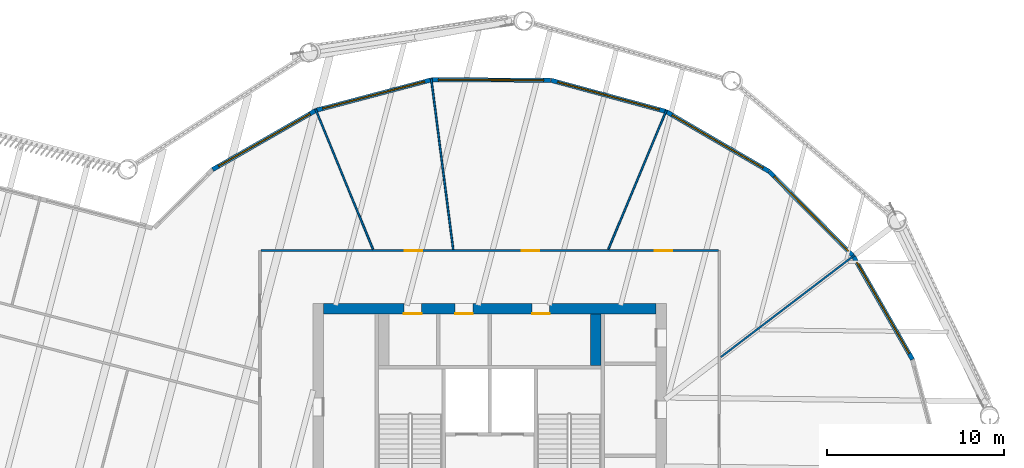
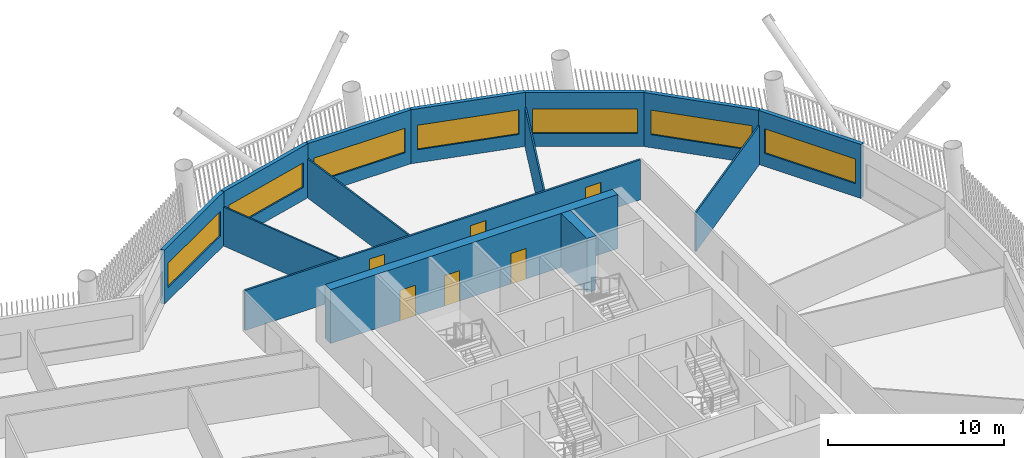
# One storey, part 7 of 21: 14 walls, 7 windows, 6 doors, 13 openings.
"""IFC4 building model written with IfcOpenShell, lengths in metres."""

from ifc_helpers import new_model, si_unit, direction, frame, frame_2d, origin, place, context, subcontext, project, spatial, rectangle, extrude, material, layer, layer_set, type_object, element, fill, save


model = new_model("IFC4")

# Units and contexts
model_context = context("Model", 3, precision=1e-05, world=origin(), true_north=direction((0.0, 1.0)))
body_context = subcontext(model_context, "Body", "Model", "MODEL_VIEW")
ifc_project = project(units=[si_unit("LENGTHUNIT", "METRE"), si_unit("AREAUNIT", "SQUARE_METRE"), si_unit("VOLUMEUNIT", "CUBIC_METRE"), si_unit("PLANEANGLEUNIT", "RADIAN"), si_unit("MASSUNIT", "GRAM", prefix="KILO")], contexts=[model_context])

# Site, building, storey
site_placement = place(None, origin())
site = spatial("IfcSite", under=ifc_project, at=site_placement, CompositionType="ELEMENT")
building_placement = place(site_placement, origin())
building = spatial("IfcBuilding", under=site, at=building_placement, Name="Tarsis Ring Headquarters", CompositionType="ELEMENT")
storey_placement = place(building_placement, frame((0.0, 0.0, 223.800048828125)))
storey = spatial("IfcBuildingStorey", under=building, at=storey_placement, Name="L52", CompositionType="ELEMENT", Elevation=223.800048828125)

# Wall, openings, doors
ifc_material_1 = material(Name="Concrete C50/60", Category="concrete")
ifc_layer_1 = layer(ifc_material_1, 0.60009765625)
ifc_layer_set_1 = layer_set([ifc_layer_1], Name="Core wall 600 C50/60")
wall_type_1 = type_object("IfcWallType", Name="Core wall 600 C50/60", PredefinedType="SHEAR", material=ifc_layer_set_1)
wall_1_placement = place(storey_placement, frame((-9.39990234375, 12.699951171875, 0.0), z_axis=(0.0, 0.0, 1.0), x_axis=(1.0, 0.0, 0.0)))
wall_1 = element("IfcWall", 1, at=wall_1_placement, inside=storey, type_object=wall_type_1, Name="Core wall ON", PredefinedType="SHEAR", context=body_context, shape_type="SweptSolid", body=[
    extrude(rectangle(XDim=18.7998046875, YDim=0.60009765625, at=frame_2d((9.39990234375, 0.0))), origin(), (0.0, 0.0, 1.0), 3.739990234375),
])
opening_1_placement = place(wall_1_placement, frame((4.550048828125, 0.0, 0.0)))
opening_1 = element("IfcOpeningElement", 2, at=opening_1_placement, cuts=wall_1, Name="Opening L52-C14", PredefinedType="OPENING", context=body_context, shape_type="SweptSolid", body=[
    extrude(rectangle(XDim=1.0, YDim=2.10009765625, at=frame_2d((0.5, 1.050048828125))), frame((0.0, 0.31005859375, 0.0), z_axis=(0.0, -1.0, 0.0), x_axis=(1.0, 0.0, 0.0)), (0.0, 0.0, 1.0), 0.6201171875),
])
opening_2_placement = place(wall_1_placement, frame((7.449951171875, 0.0, 0.0)))
opening_2 = element("IfcOpeningElement", 3, at=opening_2_placement, cuts=wall_1, Name="Opening L52-C15", PredefinedType="OPENING", context=body_context, shape_type="SweptSolid", body=[
    extrude(rectangle(XDim=1.0, YDim=2.10009765625, at=frame_2d((0.5, 1.050048828125))), frame((0.0, 0.31005859375, 0.0), z_axis=(0.0, -1.0, 0.0), x_axis=(1.0, 0.0, 0.0)), (0.0, 0.0, 1.0), 0.6201171875),
])
opening_3_placement = place(wall_1_placement, frame((11.800048828125, 0.0, 0.0)))
opening_3 = element("IfcOpeningElement", 4, at=opening_3_placement, cuts=wall_1, Name="Opening L52-C16", PredefinedType="OPENING", context=body_context, shape_type="SweptSolid", body=[
    extrude(rectangle(XDim=1.0, YDim=2.10009765625, at=frame_2d((0.5, 1.050048828125))), frame((0.0, 0.31005859375, 0.0), z_axis=(0.0, -1.0, 0.0), x_axis=(1.0, 0.0, 0.0)), (0.0, 0.0, 1.0), 0.6201171875),
])
ifc_material_2 = material(Name="Steel S355", Category="steel")
door_type_1 = type_object("IfcDoorType", Name="Core room door 1000x2100", OperationType="SINGLE_SWING_LEFT", PredefinedType="DOOR", material=ifc_material_2)
door_1_placement = place(opening_1_placement, origin())
door_1 = element("IfcDoor", 5, at=door_1_placement, inside=storey, type_object=door_type_1, Name="Core room door L52", OperationType="SINGLE_SWING_LEFT", OverallHeight=2.10009765625, OverallWidth=1.0, PredefinedType="DOOR", context=body_context, shape_type="SweptSolid", body=[
    extrude(rectangle(XDim=1.0, YDim=2.10009765625, at=frame_2d((0.5, 1.050048828125))), frame((0.0, -0.25, 0.0), z_axis=(0.0, -1.0, 0.0), x_axis=(1.0, 0.0, 0.0)), (0.0, 0.0, 1.0), 0.050048828125),
])
fill(opening_1, door_1)
door_2_placement = place(opening_2_placement, origin())
door_2 = element("IfcDoor", 6, at=door_2_placement, inside=storey, type_object=door_type_1, Name="Core room door L52", OperationType="SINGLE_SWING_LEFT", OverallHeight=2.10009765625, OverallWidth=1.0, PredefinedType="DOOR", context=body_context, shape_type="SweptSolid", body=[
    extrude(rectangle(XDim=1.0, YDim=2.10009765625, at=frame_2d((0.5, 1.050048828125))), frame((0.0, -0.25, 0.0), z_axis=(0.0, -1.0, 0.0), x_axis=(1.0, 0.0, 0.0)), (0.0, 0.0, 1.0), 0.050048828125),
])
fill(opening_2, door_2)
door_3_placement = place(opening_3_placement, origin())
door_3 = element("IfcDoor", 7, at=door_3_placement, inside=storey, type_object=door_type_1, Name="Core room door L52", OperationType="SINGLE_SWING_LEFT", OverallHeight=2.10009765625, OverallWidth=1.0, PredefinedType="DOOR", context=body_context, shape_type="SweptSolid", body=[
    extrude(rectangle(XDim=1.0, YDim=2.10009765625, at=frame_2d((0.5, 1.050048828125))), frame((0.0, -0.25, 0.0), z_axis=(0.0, -1.0, 0.0), x_axis=(1.0, 0.0, 0.0)), (0.0, 0.0, 1.0), 0.050048828125),
])
fill(opening_3, door_3)

# Walls
ifc_material_3 = material(Name="Gypsum board on steel studs", Category="steel")
ifc_layer_2 = layer(ifc_material_3, 0.10009765625)
ifc_layer_set_2 = layer_set([ifc_layer_2], Name="FL partition 100 unrated")
wall_type_2 = type_object("IfcWallType", Name="FL partition 100 unrated", PredefinedType="PARTITIONING", material=ifc_layer_set_2)
wall_2_placement = place(storey_placement, frame((-3.305908203125, 25.736328125, 0.0), z_axis=(0.0, 0.0, 1.0), x_axis=(0.12740064408, -0.991851337594, 0.0)))
element("IfcWall", 8, at=wall_2_placement, inside=storey, type_object=wall_type_2, Name="Partition PW3", PredefinedType="PARTITIONING", context=body_context, shape_type="SweptSolid", body=[
    extrude(rectangle(XDim=9.746337890625, YDim=0.10009765625, at=frame_2d((4.873046875, 0.0))), origin(), (0.0, 0.0, 1.0), 2.699951171875),
])
wall_3_placement = place(storey_placement, frame((13.07958984375, 9.97119140625, 0.0), z_axis=(0.0, 0.0, 1.0), x_axis=(0.79526357284, 0.606263844966, 0.0)))
element("IfcWall", 9, at=wall_3_placement, inside=storey, type_object=wall_type_2, Name="Partition PW3", PredefinedType="PARTITIONING", context=body_context, shape_type="SweptSolid", body=[
    extrude(rectangle(XDim=9.500732421875, YDim=0.10009765625, at=frame_2d((4.75048828125, 0.0))), origin(), (0.0, 0.0, 1.0), 2.699951171875),
])
wall_4_placement = place(storey_placement, frame((-9.8544921875, 24.00390625, 0.0), z_axis=(0.0, 0.0, 1.0), x_axis=(0.379762620059, -0.925083970462, 0.0)))
element("IfcWall", 10, at=wall_4_placement, inside=storey, type_object=wall_type_2, Name="Partition PW3", PredefinedType="PARTITIONING", context=body_context, shape_type="SweptSolid", body=[
    extrude(rectangle(XDim=8.572021484375, YDim=0.10009765625, at=frame_2d((4.2861328125, 0.0))), origin(), (0.0, 0.0, 1.0), 2.699951171875),
])
wall_5_placement = place(storey_placement, frame((6.71728515625, 16.07373046875, 0.0), z_axis=(0.0, 0.0, 1.0), x_axis=(0.385578815854, 0.922674903075, 0.0)))
element("IfcWall", 11, at=wall_5_placement, inside=storey, type_object=wall_type_2, Name="Partition PW3", PredefinedType="PARTITIONING", context=body_context, shape_type="SweptSolid", body=[
    extrude(rectangle(XDim=8.527099609375, YDim=0.10009765625, at=frame_2d((4.263671875, 0.0))), origin(), (0.0, 0.0, 1.0), 2.699951171875),
])

# Wall, openings, doors
ifc_layer_3 = layer(ifc_material_3, 0.125)
ifc_layer_set_3 = layer_set([ifc_layer_3], Name="FL partition 125 EI 60 H2770")
wall_type_3 = type_object("IfcWallType", Name="FL partition 125 EI 60 H2770", PredefinedType="PARTITIONING", material=ifc_layer_set_3)
wall_6_placement = place(storey_placement, frame((-12.93994140625, 16.0, 0.0), z_axis=(0.0, 0.0, 1.0), x_axis=(1.0, 0.0, 0.0)))
wall_6 = element("IfcWall", 12, at=wall_6_placement, inside=storey, type_object=wall_type_3, Name="Partition PW1", PredefinedType="PARTITIONING", context=body_context, shape_type="SweptSolid", body=[
    extrude(rectangle(XDim=25.8798828125, YDim=0.125, at=frame_2d((12.93994140625, 0.0))), origin(), (0.0, 0.0, 1.0), 2.77001953125),
])
opening_4_placement = place(wall_6_placement, frame((8.1279296875, 0.0, 0.0)))
opening_4 = element("IfcOpeningElement", 13, at=opening_4_placement, cuts=wall_6, Name="Opening D52.04", PredefinedType="OPENING", context=body_context, shape_type="SweptSolid", body=[
    extrude(rectangle(XDim=1.0, YDim=2.10009765625, at=frame_2d((0.5, 1.050048828125))), frame((0.0, 0.072509765625, 0.0), z_axis=(0.0, -1.0, 0.0), x_axis=(1.0, 0.0, 0.0)), (0.0, 0.0, 1.0), 0.14501953125),
])
opening_5_placement = place(wall_6_placement, frame((14.755615234375, 0.0, 0.0)))
opening_5 = element("IfcOpeningElement", 14, at=opening_5_placement, cuts=wall_6, Name="Opening D52.05", PredefinedType="OPENING", context=body_context, shape_type="SweptSolid", body=[
    extrude(rectangle(XDim=1.0, YDim=2.10009765625, at=frame_2d((0.5, 1.050048828125))), frame((0.0, 0.072509765625, 0.0), z_axis=(0.0, -1.0, 0.0), x_axis=(1.0, 0.0, 0.0)), (0.0, 0.0, 1.0), 0.14501953125),
])
opening_6_placement = place(wall_6_placement, frame((22.283203125, 0.0, 0.0)))
opening_6 = element("IfcOpeningElement", 15, at=opening_6_placement, cuts=wall_6, Name="Opening D52.06", PredefinedType="OPENING", context=body_context, shape_type="SweptSolid", body=[
    extrude(rectangle(XDim=1.0, YDim=2.10009765625, at=frame_2d((0.5, 1.050048828125))), frame((0.0, 0.072509765625, 0.0), z_axis=(0.0, -1.0, 0.0), x_axis=(1.0, 0.0, 0.0)), (0.0, 0.0, 1.0), 0.14501953125),
])
ifc_material_4 = material(Name="Fire-rated timber door leaf in steel frame", Category="steel")
door_type_2 = type_object("IfcDoorType", Name="FL door FD60-1000", OperationType="NOTDEFINED", PredefinedType="DOOR", material=ifc_material_4)
door_4_placement = place(opening_4_placement, origin())
door_4 = element("IfcDoor", 16, at=door_4_placement, inside=storey, type_object=door_type_2, Name="Door D52.04", OperationType="SINGLE_SWING_RIGHT", OverallHeight=2.10009765625, OverallWidth=1.0, PredefinedType="DOOR", context=body_context, shape_type="SweptSolid", body=[
    extrude(rectangle(XDim=1.0, YDim=2.10009765625, at=frame_2d((0.5, 1.050048828125))), frame((0.0, 0.02490234375, 0.0), z_axis=(0.0, -1.0, 0.0), x_axis=(1.0, 0.0, 0.0)), (0.0, 0.0, 1.0), 0.050048828125),
])
fill(opening_4, door_4)
door_5_placement = place(opening_5_placement, origin())
door_5 = element("IfcDoor", 17, at=door_5_placement, inside=storey, type_object=door_type_2, Name="Door D52.05", OperationType="SINGLE_SWING_LEFT", OverallHeight=2.10009765625, OverallWidth=1.0, PredefinedType="DOOR", context=body_context, shape_type="SweptSolid", body=[
    extrude(rectangle(XDim=1.0, YDim=2.10009765625, at=frame_2d((0.5, 1.050048828125))), frame((0.0, 0.02490234375, 0.0), z_axis=(0.0, -1.0, 0.0), x_axis=(1.0, 0.0, 0.0)), (0.0, 0.0, 1.0), 0.050048828125),
])
fill(opening_5, door_5)
door_6_placement = place(opening_6_placement, origin())
door_6 = element("IfcDoor", 18, at=door_6_placement, inside=storey, type_object=door_type_2, Name="Door D52.06", OperationType="SINGLE_SWING_RIGHT", OverallHeight=2.10009765625, OverallWidth=1.0, PredefinedType="DOOR", context=body_context, shape_type="SweptSolid", body=[
    extrude(rectangle(XDim=1.0, YDim=2.10009765625, at=frame_2d((0.5, 1.050048828125))), frame((0.0, 0.02490234375, 0.0), z_axis=(0.0, -1.0, 0.0), x_axis=(1.0, 0.0, 0.0)), (0.0, 0.0, 1.0), 0.050048828125),
])
fill(opening_6, door_6)

# Wall, opening, window
ifc_material_5 = material(Name="Terracotta clad insulated panel wall", Category="masonry")
ifc_layer_4 = layer(ifc_material_5, 0.25)
ifc_layer_set_4 = layer_set([ifc_layer_4], Name="Facade wall terracotta panel 250")
wall_type_4 = type_object("IfcWallType", Name="Facade wall terracotta panel 250", PredefinedType="STANDARD", material=ifc_layer_set_4)
wall_7_placement = place(storey_placement, frame((23.92724609375, 9.840576171875, 0.0), z_axis=(0.0, 0.0, 1.0), x_axis=(-0.497284605144, 0.867587471951, 0.0)))
wall_7 = element("IfcWall", 19, at=wall_7_placement, inside=storey, type_object=wall_type_4, Name="External wall L52-23", PredefinedType="STANDARD", context=body_context, shape_type="SweptSolid", body=[
    extrude(rectangle(XDim=6.7216796875, YDim=0.25, at=frame_2d((3.36083984375, 0.0))), origin(), (0.0, 0.0, 1.0), 3.739990234375),
])
opening_7_placement = place(wall_7_placement, frame((0.3857421875, 0.0, 0.89990234375)))
opening_7 = element("IfcOpeningElement", 20, at=opening_7_placement, cuts=wall_7, Name="Opening WN07", PredefinedType="OPENING", context=body_context, shape_type="SweptSolid", body=[
    extrude(rectangle(XDim=5.949951171875, YDim=1.699951171875, at=frame_2d((2.97509765625, 0.85009765625))), frame((0.0, 0.135009765625, 0.0), z_axis=(0.0, -1.0, 0.0), x_axis=(1.0, 0.0, 0.0)), (0.0, 0.0, 1.0), 0.27001953125),
])
ifc_material_6 = material(Name="Aluminium framed double glazing", Category="aluminium")
window_type = type_object("IfcWindowType", Name="Facade window 5950 x 1700", PartitioningType="SINGLE_PANEL", PredefinedType="WINDOW", material=ifc_material_6)
window_1_placement = place(opening_7_placement, origin())
window_1 = element("IfcWindow", 21, at=window_1_placement, inside=storey, type_object=window_type, Name="Window L52-23.1", OverallHeight=1.699951171875, OverallWidth=5.949951171875, PartitioningType="SINGLE_PANEL", PredefinedType="WINDOW", context=body_context, shape_type="SweptSolid", body=[
    extrude(rectangle(XDim=5.949951171875, YDim=1.699951171875, at=frame_2d((2.97509765625, 0.85009765625))), frame((0.0, 0.030029296875, 0.0), z_axis=(0.0, -1.0, 0.0), x_axis=(1.0, 0.0, 0.0)), (0.0, 0.0, 1.0), 0.06005859375),
])
fill(opening_7, window_1)

wall_8_placement = place(storey_placement, frame((20.56494140625, 15.6982421875, 0.0), z_axis=(0.0, 0.0, 1.0), x_axis=(-0.704887595847, 0.709319023586, 0.0)))
wall_8 = element("IfcWall", 22, at=wall_8_placement, inside=storey, type_object=wall_type_4, Name="External wall L52-24", PredefinedType="STANDARD", context=body_context, shape_type="SweptSolid", body=[
    extrude(rectangle(XDim=6.721435546875, YDim=0.25, at=frame_2d((3.36083984375, 0.0))), origin(), (0.0, 0.0, 1.0), 3.739990234375),
])
opening_8_placement = place(wall_8_placement, frame((0.3857421875, 0.0, 0.89990234375)))
opening_8 = element("IfcOpeningElement", 23, at=opening_8_placement, cuts=wall_8, Name="Opening WN07", PredefinedType="OPENING", context=body_context, shape_type="SweptSolid", body=[
    extrude(rectangle(XDim=5.949951171875, YDim=1.699951171875, at=frame_2d((2.97509765625, 0.85009765625))), frame((0.0, 0.135009765625, 0.0), z_axis=(0.0, -1.0, 0.0), x_axis=(1.0, 0.0, 0.0)), (0.0, 0.0, 1.0), 0.27001953125),
])
window_2_placement = place(opening_8_placement, origin())
window_2 = element("IfcWindow", 24, at=window_2_placement, inside=storey, type_object=window_type, Name="Window L52-24.1", OverallHeight=1.699951171875, OverallWidth=5.949951171875, PartitioningType="SINGLE_PANEL", PredefinedType="WINDOW", context=body_context, shape_type="SweptSolid", body=[
    extrude(rectangle(XDim=5.949951171875, YDim=1.699951171875, at=frame_2d((2.97509765625, 0.85009765625))), frame((0.0, 0.030029296875, 0.0), z_axis=(0.0, -1.0, 0.0), x_axis=(1.0, 0.0, 0.0)), (0.0, 0.0, 1.0), 0.06005859375),
])
fill(opening_8, window_2)

wall_9_placement = place(storey_placement, frame((15.80126953125, 20.48583984375, 0.0), z_axis=(0.0, 0.0, 1.0), x_axis=(-0.864447354623, 0.502723354426, 0.0)))
wall_9 = element("IfcWall", 25, at=wall_9_placement, inside=storey, type_object=wall_type_4, Name="External wall L52-25", PredefinedType="STANDARD", context=body_context, shape_type="SweptSolid", body=[
    extrude(rectangle(XDim=6.7216796875, YDim=0.25, at=frame_2d((3.36083984375, 0.0))), origin(), (0.0, 0.0, 1.0), 3.739990234375),
])
opening_9_placement = place(wall_9_placement, frame((0.3857421875, 0.0, 0.89990234375)))
opening_9 = element("IfcOpeningElement", 26, at=opening_9_placement, cuts=wall_9, Name="Opening WN07", PredefinedType="OPENING", context=body_context, shape_type="SweptSolid", body=[
    extrude(rectangle(XDim=5.949951171875, YDim=1.699951171875, at=frame_2d((2.97509765625, 0.85009765625))), frame((0.0, 0.135009765625, 0.0), z_axis=(0.0, -1.0, 0.0), x_axis=(1.0, 0.0, 0.0)), (0.0, 0.0, 1.0), 0.27001953125),
])
window_3_placement = place(opening_9_placement, origin())
window_3 = element("IfcWindow", 27, at=window_3_placement, inside=storey, type_object=window_type, Name="Window L52-25.1", OverallHeight=1.699951171875, OverallWidth=5.949951171875, PartitioningType="SINGLE_PANEL", PredefinedType="WINDOW", context=body_context, shape_type="SweptSolid", body=[
    extrude(rectangle(XDim=5.949951171875, YDim=1.699951171875, at=frame_2d((2.97509765625, 0.85009765625))), frame((0.0, 0.030029296875, 0.0), z_axis=(0.0, -1.0, 0.0), x_axis=(1.0, 0.0, 0.0)), (0.0, 0.0, 1.0), 0.06005859375),
])
fill(opening_9, window_3)

wall_10_placement = place(storey_placement, frame((9.960693359375, 23.87744140625, 0.0), z_axis=(0.0, 0.0, 1.0), x_axis=(-0.96510999632, 0.261844791821, 0.0)))
wall_10 = element("IfcWall", 28, at=wall_10_placement, inside=storey, type_object=wall_type_4, Name="External wall L52-26", PredefinedType="STANDARD", context=body_context, shape_type="SweptSolid", body=[
    extrude(rectangle(XDim=6.7216796875, YDim=0.25, at=frame_2d((3.36083984375, 0.0))), origin(), (0.0, 0.0, 1.0), 3.739990234375),
])
opening_10_placement = place(wall_10_placement, frame((0.3857421875, 0.0, 0.89990234375)))
opening_10 = element("IfcOpeningElement", 29, at=opening_10_placement, cuts=wall_10, Name="Opening WN07", PredefinedType="OPENING", context=body_context, shape_type="SweptSolid", body=[
    extrude(rectangle(XDim=5.949951171875, YDim=1.699951171875, at=frame_2d((2.97509765625, 0.85009765625))), frame((0.0, 0.135009765625, 0.0), z_axis=(0.0, -1.0, 0.0), x_axis=(1.0, 0.0, 0.0)), (0.0, 0.0, 1.0), 0.27001953125),
])
window_4_placement = place(opening_10_placement, origin())
window_4 = element("IfcWindow", 30, at=window_4_placement, inside=storey, type_object=window_type, Name="Window L52-26.1", OverallHeight=1.699951171875, OverallWidth=5.949951171875, PartitioningType="SINGLE_PANEL", PredefinedType="WINDOW", context=body_context, shape_type="SweptSolid", body=[
    extrude(rectangle(XDim=5.949951171875, YDim=1.699951171875, at=frame_2d((2.97509765625, 0.85009765625))), frame((0.0, 0.030029296875, 0.0), z_axis=(0.0, -1.0, 0.0), x_axis=(1.0, 0.0, 0.0)), (0.0, 0.0, 1.0), 0.06005859375),
])
fill(opening_10, window_4)

wall_11_placement = place(storey_placement, frame((3.44140625, 25.641845703125, 0.0), z_axis=(0.0, 0.0, 1.0), x_axis=(-0.999995007366, 0.003159943544, 0.0)))
wall_11 = element("IfcWall", 31, at=wall_11_placement, inside=storey, type_object=wall_type_4, Name="External wall L52-27", PredefinedType="STANDARD", context=body_context, shape_type="SweptSolid", body=[
    extrude(rectangle(XDim=6.7216796875, YDim=0.25, at=frame_2d((3.36083984375, 0.0))), origin(), (0.0, 0.0, 1.0), 3.739990234375),
])
opening_11_placement = place(wall_11_placement, frame((0.3857421875, 0.0, 0.89990234375)))
opening_11 = element("IfcOpeningElement", 32, at=opening_11_placement, cuts=wall_11, Name="Opening WN07", PredefinedType="OPENING", context=body_context, shape_type="SweptSolid", body=[
    extrude(rectangle(XDim=5.949951171875, YDim=1.699951171875, at=frame_2d((2.97509765625, 0.85009765625))), frame((0.0, 0.135009765625, 0.0), z_axis=(0.0, -1.0, 0.0), x_axis=(1.0, 0.0, 0.0)), (0.0, 0.0, 1.0), 0.27001953125),
])
window_5_placement = place(opening_11_placement, origin())
window_5 = element("IfcWindow", 33, at=window_5_placement, inside=storey, type_object=window_type, Name="Window L52-27.1", OverallHeight=1.699951171875, OverallWidth=5.949951171875, PartitioningType="SINGLE_PANEL", PredefinedType="WINDOW", context=body_context, shape_type="SweptSolid", body=[
    extrude(rectangle(XDim=5.949951171875, YDim=1.699951171875, at=frame_2d((2.97509765625, 0.85009765625))), frame((0.0, 0.030029296875, 0.0), z_axis=(0.0, -1.0, 0.0), x_axis=(1.0, 0.0, 0.0)), (0.0, 0.0, 1.0), 0.06005859375),
])
fill(opening_11, window_5)

wall_12_placement = place(storey_placement, frame((-3.3125, 25.658935546875, 0.0), z_axis=(0.0, 0.0, 1.0), x_axis=(-0.966735875539, -0.255776752162, 0.0)))
wall_12 = element("IfcWall", 34, at=wall_12_placement, inside=storey, type_object=wall_type_4, Name="External wall L52-28", PredefinedType="STANDARD", context=body_context, shape_type="SweptSolid", body=[
    extrude(rectangle(XDim=6.7216796875, YDim=0.25, at=frame_2d((3.36083984375, 0.0))), origin(), (0.0, 0.0, 1.0), 3.739990234375),
])
opening_12_placement = place(wall_12_placement, frame((0.3857421875, 0.0, 0.89990234375)))
opening_12 = element("IfcOpeningElement", 35, at=opening_12_placement, cuts=wall_12, Name="Opening WN07", PredefinedType="OPENING", context=body_context, shape_type="SweptSolid", body=[
    extrude(rectangle(XDim=5.949951171875, YDim=1.699951171875, at=frame_2d((2.97509765625, 0.85009765625))), frame((0.0, 0.135009765625, 0.0), z_axis=(0.0, -1.0, 0.0), x_axis=(1.0, 0.0, 0.0)), (0.0, 0.0, 1.0), 0.27001953125),
])
window_6_placement = place(opening_12_placement, origin())
window_6 = element("IfcWindow", 36, at=window_6_placement, inside=storey, type_object=window_type, Name="Window L52-28.1", OverallHeight=1.699951171875, OverallWidth=5.949951171875, PartitioningType="SINGLE_PANEL", PredefinedType="WINDOW", context=body_context, shape_type="SweptSolid", body=[
    extrude(rectangle(XDim=5.949951171875, YDim=1.699951171875, at=frame_2d((2.97509765625, 0.85009765625))), frame((0.0, 0.030029296875, 0.0), z_axis=(0.0, -1.0, 0.0), x_axis=(1.0, 0.0, 0.0)), (0.0, 0.0, 1.0), 0.06005859375),
])
fill(opening_12, window_6)

wall_13_placement = place(storey_placement, frame((-9.840576171875, 23.92724609375, 0.0), z_axis=(0.0, 0.0, 1.0), x_axis=(-0.867587471951, -0.497284605144, 0.0)))
wall_13 = element("IfcWall", 37, at=wall_13_placement, inside=storey, type_object=wall_type_4, Name="External wall L52-29", PredefinedType="STANDARD", context=body_context, shape_type="SweptSolid", body=[
    extrude(rectangle(XDim=6.7216796875, YDim=0.25, at=frame_2d((3.36083984375, 0.0))), origin(), (0.0, 0.0, 1.0), 3.739990234375),
])
opening_13_placement = place(wall_13_placement, frame((0.3857421875, 0.0, 0.89990234375)))
opening_13 = element("IfcOpeningElement", 38, at=opening_13_placement, cuts=wall_13, Name="Opening WN07", PredefinedType="OPENING", context=body_context, shape_type="SweptSolid", body=[
    extrude(rectangle(XDim=5.949951171875, YDim=1.699951171875, at=frame_2d((2.97509765625, 0.85009765625))), frame((0.0, 0.135009765625, 0.0), z_axis=(0.0, -1.0, 0.0), x_axis=(1.0, 0.0, 0.0)), (0.0, 0.0, 1.0), 0.27001953125),
])
window_7_placement = place(opening_13_placement, origin())
window_7 = element("IfcWindow", 39, at=window_7_placement, inside=storey, type_object=window_type, Name="Window L52-29.1", OverallHeight=1.699951171875, OverallWidth=5.949951171875, PartitioningType="SINGLE_PANEL", PredefinedType="WINDOW", context=body_context, shape_type="SweptSolid", body=[
    extrude(rectangle(XDim=5.949951171875, YDim=1.699951171875, at=frame_2d((2.97509765625, 0.85009765625))), frame((0.0, 0.030029296875, 0.0), z_axis=(0.0, -1.0, 0.0), x_axis=(1.0, 0.0, 0.0)), (0.0, 0.0, 1.0), 0.06005859375),
])
fill(opening_13, window_7)

# Wall
ifc_material_7 = material(Name="Concrete C32/40", Category="concrete")
ifc_layer_5 = layer(ifc_material_7, 0.60009765625)
ifc_layer_set_5 = layer_set([ifc_layer_5], Name="Shaft end wall 600 C32/40")
wall_type_5 = type_object("IfcWallType", Name="Shaft end wall 600 C32/40", PredefinedType="SOLIDWALL", material=ifc_layer_set_5)
wall_14_placement = place(storey_placement, frame((6.0, 9.5, 0.0), z_axis=(0.0, 0.0, 1.0), x_axis=(0.0, 1.0, 0.0)))
element("IfcWall", 40, at=wall_14_placement, inside=storey, type_object=wall_type_5, Name="Core shaft wall NNE2", PredefinedType="SOLIDWALL", context=body_context, shape_type="SweptSolid", body=[
    extrude(rectangle(XDim=2.89990234375, YDim=0.60009765625, at=frame_2d((1.449951171875, 0.0))), origin(), (0.0, 0.0, 1.0), 3.739990234375),
])

save(model, "model.ifc")
